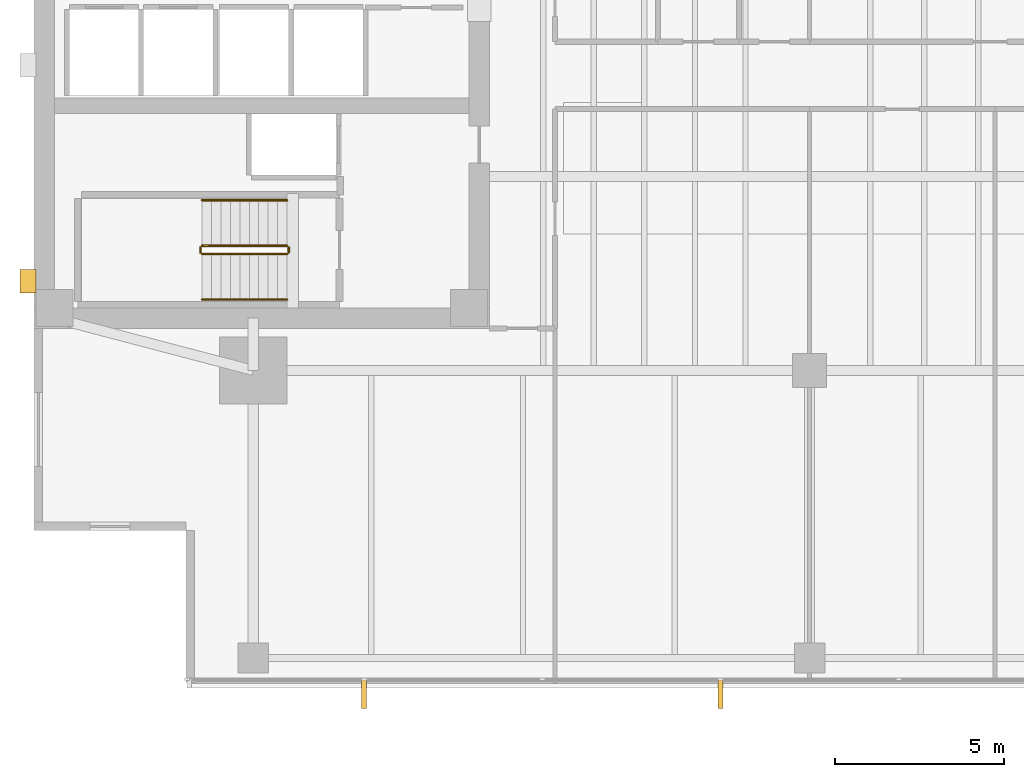
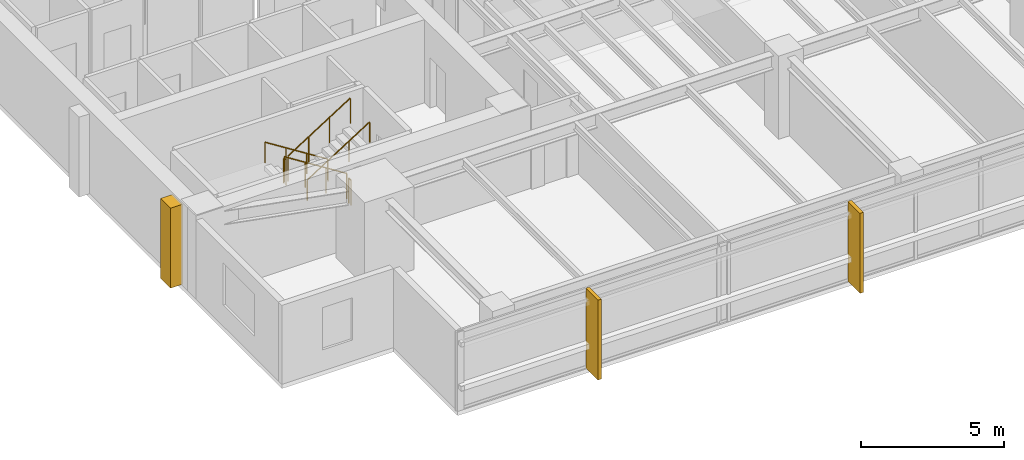
# One storey, part 11 of 15: 6 railings, 3 coverings.
"""IFC4 building model written with IfcOpenShell, lengths in metres."""

from ifc_helpers import new_model, si_unit, direction, frame, origin, origin_2d, place, context, subcontext, project, spatial, polyline, circle, outline, extrude, material, layer, layer_set, type_object, element, save


model = new_model("IFC4")

# Units and contexts
model_context = context("Model", 3, precision=1e-05, world=origin(), true_north=direction((0.0, 1.0)))
body_context = subcontext(model_context, "Body", "Model", "MODEL_VIEW")
ifc_project = project(units=[si_unit("LENGTHUNIT", "METRE"), si_unit("AREAUNIT", "SQUARE_METRE"), si_unit("VOLUMEUNIT", "CUBIC_METRE"), si_unit("PLANEANGLEUNIT", "RADIAN"), si_unit("MASSUNIT", "GRAM", prefix="KILO")], contexts=[model_context])

# Site, building, storey
site_placement = place(None, origin())
site = spatial("IfcSite", under=ifc_project, at=site_placement, CompositionType="ELEMENT")
building_placement = place(site_placement, origin())
building = spatial("IfcBuilding", under=site, at=building_placement, Name="Kinhvarn Gate Tower", CompositionType="ELEMENT")
storey_placement = place(building_placement, frame((0.0, 0.0, 105.800048828125)))
storey = spatial("IfcBuildingStorey", under=building, at=storey_placement, Name="L27", CompositionType="ELEMENT", Elevation=105.800048828125)

# Coverings
ifc_material_1 = material(Name="Fired architectural terracotta", Category="masonry")
ifc_layer_1 = layer(ifc_material_1, 0.139892578125)
ifc_layer_set_1 = layer_set([ifc_layer_1], Name="Fired architectural terracotta")
covering_type_1 = type_object("IfcCoveringType", Name="COV-FIN-850", PredefinedType="CLADDING", material=ifc_layer_set_1)
covering_1_placement = place(storey_placement, frame((0.0, 0.0, -0.02001953125)))
element("IfcCovering", 1, at=covering_1_placement, inside=storey, type_object=covering_type_1, Name="Vertical Terracotta Expressive Fin TFN-850 (L27)", PredefinedType="CLADDING", context=body_context, shape_type="SweptSolid", body=[
    extrude(outline(polyline([(14.2158203125, 3.580078125), (14.355712890625, 3.580078125), (14.355712890625, 2.72998046875), (14.2158203125, 2.72998046875), (14.2158203125, 3.580078125)])), origin(), (0.0, 0.0, 1.0), 3.409912109375),
])
covering_2_placement = place(storey_placement, frame((0.0, 0.0, -0.02001953125)))
element("IfcCovering", 2, at=covering_2_placement, inside=storey, type_object=covering_type_1, Name="Vertical Terracotta Expressive Fin TFN-850 (L27)", PredefinedType="CLADDING", context=body_context, shape_type="SweptSolid", body=[
    extrude(outline(polyline([(24.787109375, 3.580078125), (24.927001953125, 3.580078125), (24.927001953125, 2.72998046875), (24.787109375, 2.72998046875), (24.787109375, 3.580078125)])), origin(), (0.0, 0.0, 1.0), 3.409912109375),
])
ifc_material_2 = material(Name="Precast white architectural concrete C40/50", Category="concrete")
ifc_layer_2 = layer(ifc_material_2, 0.47998046875)
ifc_layer_set_2 = layer_set([ifc_layer_2], Name="Precast white architectural concrete C40/50")
covering_type_2 = type_object("IfcCoveringType", Name="COV-RIB-450", PredefinedType="CLADDING", material=ifc_layer_set_2)
covering_3_placement = place(storey_placement, frame((0.0, 0.0, -0.02001953125)))
element("IfcCovering", 3, at=covering_3_placement, inside=storey, type_object=covering_type_2, Name="West Core Sculptural Concrete Relief Rib CRB-450 (L27)", PredefinedType="CLADDING", context=body_context, shape_type="SweptSolid", body=[
    extrude(outline(polyline([(4.080078125, 15.050048828125), (4.56005859375, 15.050048828125), (4.56005859375, 15.75), (4.080078125, 15.75), (4.080078125, 15.050048828125)])), origin(), (0.0, 0.0, 1.0), 3.409912109375),
])

# Railings
ifc_material_3 = material(Name="Steel S355", Category="steel")
railing_type_1 = type_object("IfcRailingType", Name="RL-ST-GRD", PredefinedType="BALUSTRADE", material=ifc_material_3)
railing_1_placement = place(storey_placement, frame((12.0, 16.449951171875, 0.177490234375)))
element("IfcRailing", 4, at=railing_1_placement, inside=storey, type_object=railing_type_1, Name="L27 ST1 stair guard 1", PredefinedType="BALUSTRADE", context=body_context, shape_type="SweptSolid", body=[
    extrude(circle(Radius=0.02392578125, at=origin_2d()), frame((0.0, 0.0, 1.076171875), z_axis=(-0.84460694969, 0.0, 0.535386869969), x_axis=(0.0, -1.0, 0.0)), (0.0, 0.0, 1.0), 2.983642578125),
    extrude(circle(Radius=0.02099609375, at=origin_2d()), origin(), (0.0, 0.0, 1.0), 1.052001953125),
    extrude(circle(Radius=0.02099609375, at=origin_2d()), frame((-0.840087890625, 0.0, 0.532470703125)), (0.0, 0.0, 1.0), 1.052001953125),
    extrude(circle(Radius=0.02099609375, at=origin_2d()), frame((-1.679931640625, 0.0, 1.06494140625)), (0.0, 0.0, 1.0), 1.052001953125),
    extrude(circle(Radius=0.02099609375, at=origin_2d()), frame((-2.52001953125, 0.0, 1.597412109375)), (0.0, 0.0, 1.0), 1.052001953125),
])
railing_2_placement = place(storey_placement, frame((9.429931640625, 16.39990234375, 1.77490234375)))
element("IfcRailing", 5, at=railing_2_placement, inside=storey, type_object=railing_type_1, Name="L27 ST1 stair guard 2", PredefinedType="BALUSTRADE", context=body_context, shape_type="SweptSolid", body=[
    extrude(circle(Radius=0.02392578125, at=origin_2d()), frame((0.0, 0.0, 1.076171875), z_axis=(0.0, -1.0, 0.0), x_axis=(1.0, 0.0, 0.0)), (0.0, 0.0, 1.0), 0.14990234375),
    extrude(circle(Radius=0.02099609375, at=origin_2d()), origin(), (0.0, 0.0, 1.0), 1.052001953125),
    extrude(circle(Radius=0.02099609375, at=origin_2d()), frame((0.0, -0.14990234375, 0.0)), (0.0, 0.0, 1.0), 1.052001953125),
])
railing_3_placement = place(storey_placement, frame((9.47998046875, 16.199951171875, 1.952392578125)))
element("IfcRailing", 6, at=railing_3_placement, inside=storey, type_object=railing_type_1, Name="L27 ST1 stair guard 3", PredefinedType="BALUSTRADE", context=body_context, shape_type="SweptSolid", body=[
    extrude(circle(Radius=0.02392578125, at=origin_2d()), frame((0.0, 0.0, 1.076171875), z_axis=(0.84456994832, 0.0, 0.535445237532), x_axis=(0.0, 1.0, 0.0)), (0.0, 0.0, 1.0), 2.98388671875),
    extrude(circle(Radius=0.02099609375, at=origin_2d()), origin(), (0.0, 0.0, 1.0), 1.052001953125),
    extrude(circle(Radius=0.02099609375, at=origin_2d()), frame((0.840087890625, 0.0, 0.532470703125)), (0.0, 0.0, 1.0), 1.052001953125),
    extrude(circle(Radius=0.02099609375, at=origin_2d()), frame((1.679931640625, 0.0, 1.065185546875)), (0.0, 0.0, 1.0), 1.052001953125),
    extrude(circle(Radius=0.02099609375, at=origin_2d()), frame((2.52001953125, 0.0, 1.59765625)), (0.0, 0.0, 1.0), 1.052001953125),
])
railing_4_placement = place(storey_placement, frame((12.050048828125, 16.39990234375, 0.0)))
element("IfcRailing", 7, at=railing_4_placement, inside=storey, type_object=railing_type_1, Name="L27 ST1 stair guard 4", PredefinedType="BALUSTRADE", context=body_context, shape_type="SweptSolid", body=[
    extrude(circle(Radius=0.02392578125, at=origin_2d()), frame((0.0, 0.0, 1.076171875), z_axis=(0.0, -1.0, 0.0), x_axis=(1.0, 0.0, 0.0)), (0.0, 0.0, 1.0), 0.14990234375),
    extrude(circle(Radius=0.02099609375, at=origin_2d()), origin(), (0.0, 0.0, 1.0), 1.052001953125),
    extrude(circle(Radius=0.02099609375, at=origin_2d()), frame((0.0, -0.14990234375, 0.0)), (0.0, 0.0, 1.0), 1.052001953125),
])
railing_type_2 = type_object("IfcRailingType", Name="RL-ST-HND", PredefinedType="HANDRAIL", material=ifc_material_3)
railing_5_placement = place(storey_placement, frame((12.0, 17.800048828125, 0.177490234375)))
element("IfcRailing", 8, at=railing_5_placement, inside=storey, type_object=railing_type_2, Name="L27 ST1 stair handrail 1", PredefinedType="HANDRAIL", context=body_context, shape_type="SweptSolid", body=[
    extrude(circle(Radius=0.02392578125, at=origin_2d()), frame((0.0, 0.0, 0.8759765625), z_axis=(-0.84460694969, 0.0, 0.535386869969), x_axis=(0.0, -1.0, 0.0)), (0.0, 0.0, 1.0), 2.983642578125),
    extrude(circle(Radius=0.02099609375, at=origin_2d()), origin(), (0.0, 0.0, 1.0), 0.851806640625),
    extrude(circle(Radius=0.02099609375, at=origin_2d()), frame((-0.840087890625, 0.0, 0.532470703125)), (0.0, 0.0, 1.0), 0.851806640625),
    extrude(circle(Radius=0.02099609375, at=origin_2d()), frame((-1.679931640625, 0.0, 1.06494140625)), (0.0, 0.0, 1.0), 0.851806640625),
    extrude(circle(Radius=0.02099609375, at=origin_2d()), frame((-2.52001953125, 0.0, 1.597412109375)), (0.0, 0.0, 1.0), 0.851806640625),
])
railing_6_placement = place(storey_placement, frame((9.47998046875, 14.85009765625, 1.952392578125)))
element("IfcRailing", 9, at=railing_6_placement, inside=storey, type_object=railing_type_2, Name="L27 ST1 stair handrail 2", PredefinedType="HANDRAIL", context=body_context, shape_type="SweptSolid", body=[
    extrude(circle(Radius=0.02392578125, at=origin_2d()), frame((0.0, 0.0, 0.8759765625), z_axis=(0.84456994832, 0.0, 0.535445237532), x_axis=(0.0, 1.0, 0.0)), (0.0, 0.0, 1.0), 2.98388671875),
    extrude(circle(Radius=0.02099609375, at=origin_2d()), origin(), (0.0, 0.0, 1.0), 0.851806640625),
    extrude(circle(Radius=0.02099609375, at=origin_2d()), frame((0.840087890625, 0.0, 0.532470703125)), (0.0, 0.0, 1.0), 0.851806640625),
    extrude(circle(Radius=0.02099609375, at=origin_2d()), frame((1.679931640625, 0.0, 1.065185546875)), (0.0, 0.0, 1.0), 0.851806640625),
    extrude(circle(Radius=0.02099609375, at=origin_2d()), frame((2.52001953125, 0.0, 1.59765625)), (0.0, 0.0, 1.0), 0.851806640625),
])

save(model, "model.ifc")
